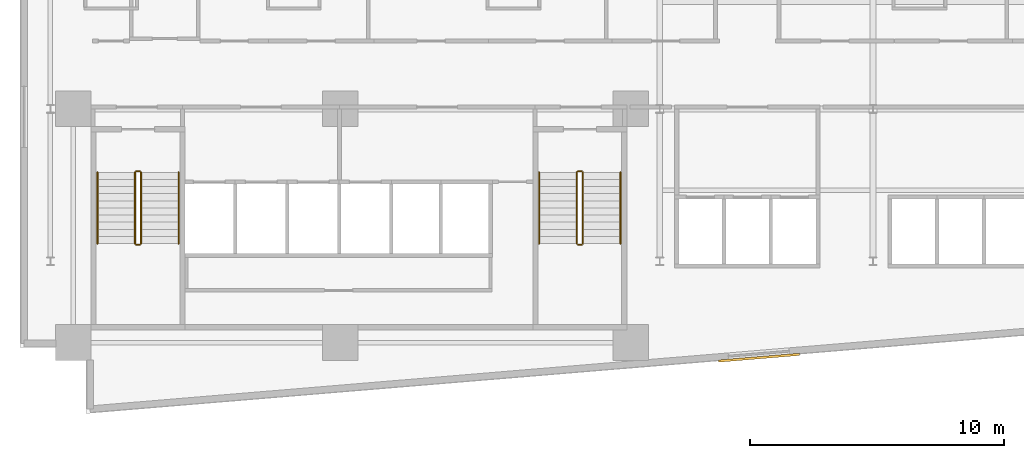
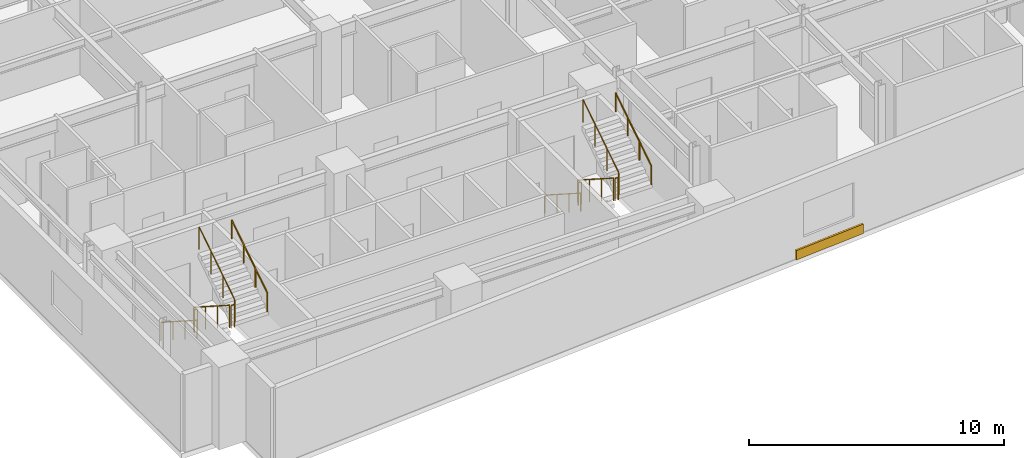
# One storey, part 15 of 19: 12 railings, 1 covering.
"""IFC4 building model written with IfcOpenShell, lengths in metres."""

from ifc_helpers import new_model, si_unit, direction, frame, origin, origin_2d, place, context, subcontext, project, spatial, rectangle, circle, extrude, material, layer, layer_set, type_object, element, save


model = new_model("IFC4")

# Units and contexts
model_context = context("Model", 3, precision=1e-05, world=origin(), true_north=direction((0.0, 1.0)))
body_context = subcontext(model_context, "Body", "Model", "MODEL_VIEW")
ifc_project = project(units=[si_unit("LENGTHUNIT", "METRE"), si_unit("AREAUNIT", "SQUARE_METRE"), si_unit("VOLUMEUNIT", "CUBIC_METRE"), si_unit("PLANEANGLEUNIT", "RADIAN"), si_unit("MASSUNIT", "GRAM", prefix="KILO")], contexts=[model_context])

# Site, building, storey
site_placement = place(None, origin())
site = spatial("IfcSite", under=ifc_project, at=site_placement, CompositionType="ELEMENT")
building_placement = place(site_placement, origin())
building = spatial("IfcBuilding", under=site, at=building_placement, Name="Varnakote Quay Hospital", CompositionType="ELEMENT")
storey_placement = place(building_placement, frame((0.0, 0.0, 89.64990234375)))
storey = spatial("IfcBuildingStorey", under=building, at=storey_placement, Name="L22", CompositionType="ELEMENT", Elevation=89.64990234375)

# Covering
ifc_material_1 = material(Name="Kiln-fired red brick architectural cladding", Category="masonry")
ifc_layer = layer(ifc_material_1, 0.090087890625)
ifc_layer_set = layer_set([ifc_layer], Name="Kiln-fired red brick architectural cladding")
covering_type = type_object("IfcCoveringType", Name="COV-BRICK-CLAD-90", PredefinedType="CLADDING", material=ifc_layer_set)
covering_placement = place(storey_placement, frame((29.11328125, 2.201171875, 0.0), z_axis=(0.0, 0.0, 1.0), x_axis=(0.996565502498, 0.082808207512, 0.0)))
element("IfcCovering", 1, at=covering_placement, inside=storey, type_object=covering_type, Name="L22 Kiln-Brick Precast Spandrel Cladding Band", PredefinedType="CLADDING", context=body_context, shape_type="SweptSolid", body=[
    extrude(rectangle(XDim=3.199951171875, YDim=0.090087890625, at=origin_2d()), origin(), (0.0, 0.0, 1.0), 0.449951171875),
])

# Railings
ifc_material_2 = material(Name="Brushed stainless steel balustrade", Category="steel")
railing_type_1 = type_object("IfcRailingType", Name="RLG-STAIR-GUARD-1150", PredefinedType="GUARDRAIL", material=ifc_material_2)
railing_1_placement = place(storey_placement, frame((4.530029296875, 9.5, 0.1796875)))
element("IfcRailing", 2, at=railing_1_placement, inside=storey, type_object=railing_type_1, Name="L22 ST-01 stair guard 1", PredefinedType="GUARDRAIL", context=body_context, shape_type="SweptSolid", body=[
    extrude(circle(Radius=0.02392578125, at=origin_2d()), frame((0.0, 0.0, 1.076171875), z_axis=(0.0, -0.841809871826, 0.539774156196), x_axis=(1.0, 0.0, 0.0)), (0.0, 0.0, 1.0), 3.326171875),
    extrude(circle(Radius=0.02099609375, at=origin_2d()), origin(), (0.0, 0.0, 1.0), 1.052001953125),
    extrude(circle(Radius=0.02099609375, at=origin_2d()), frame((0.0, -0.933349609375, 0.598388671875)), (0.0, 0.0, 1.0), 1.052001953125),
    extrude(circle(Radius=0.02099609375, at=origin_2d()), frame((0.0, -1.86669921875, 1.197021484375)), (0.0, 0.0, 1.0), 1.052001953125),
    extrude(circle(Radius=0.02099609375, at=origin_2d()), frame((0.0, -2.800048828125, 1.79541015625)), (0.0, 0.0, 1.0), 1.052001953125),
])
railing_2_placement = place(storey_placement, frame((4.580078125, 6.64990234375, 1.97509765625)))
element("IfcRailing", 3, at=railing_2_placement, inside=storey, type_object=railing_type_1, Name="L22 ST-01 stair guard 2", PredefinedType="GUARDRAIL", context=body_context, shape_type="SweptSolid", body=[
    extrude(circle(Radius=0.02392578125, at=origin_2d()), frame((0.0, 0.0, 1.076171875), z_axis=(1.0, 0.0, 0.0), x_axis=(0.0, 1.0, 0.0)), (0.0, 0.0, 1.0), 0.139892578125),
    extrude(circle(Radius=0.02099609375, at=origin_2d()), origin(), (0.0, 0.0, 1.0), 1.052001953125),
    extrude(circle(Radius=0.02099609375, at=origin_2d()), frame((0.139892578125, 0.0, 0.0)), (0.0, 0.0, 1.0), 1.052001953125),
])
railing_3_placement = place(storey_placement, frame((4.77001953125, 6.699951171875, 2.154541015625)))
element("IfcRailing", 4, at=railing_3_placement, inside=storey, type_object=railing_type_1, Name="L22 ST-01 stair guard 3", PredefinedType="GUARDRAIL", context=body_context, shape_type="SweptSolid", body=[
    extrude(circle(Radius=0.02392578125, at=origin_2d()), frame((0.0, 0.0, 1.076171875), z_axis=(0.0, 0.841776520102, 0.539826166654), x_axis=(-1.0, 0.0, 0.0)), (0.0, 0.0, 1.0), 3.326416015625),
    extrude(circle(Radius=0.02099609375, at=origin_2d()), origin(), (0.0, 0.0, 1.0), 1.052001953125),
    extrude(circle(Radius=0.02099609375, at=origin_2d()), frame((0.0, 0.933349609375, 0.5986328125)), (0.0, 0.0, 1.0), 1.052001953125),
    extrude(circle(Radius=0.02099609375, at=origin_2d()), frame((0.0, 1.86669921875, 1.197021484375)), (0.0, 0.0, 1.0), 1.052001953125),
    extrude(circle(Radius=0.02099609375, at=origin_2d()), frame((0.0, 2.800048828125, 1.795654296875)), (0.0, 0.0, 1.0), 1.052001953125),
])
railing_4_placement = place(storey_placement, frame((4.580078125, 9.550048828125, 0.0)))
element("IfcRailing", 5, at=railing_4_placement, inside=storey, type_object=railing_type_1, Name="L22 ST-01 stair guard 4", PredefinedType="GUARDRAIL", context=body_context, shape_type="SweptSolid", body=[
    extrude(circle(Radius=0.02392578125, at=origin_2d()), frame((0.0, 0.0, 1.076171875), z_axis=(1.0, 0.0, 0.0), x_axis=(0.0, 1.0, 0.0)), (0.0, 0.0, 1.0), 0.139892578125),
    extrude(circle(Radius=0.02099609375, at=origin_2d()), origin(), (0.0, 0.0, 1.0), 1.052001953125),
    extrude(circle(Radius=0.02099609375, at=origin_2d()), frame((0.139892578125, 0.0, 0.0)), (0.0, 0.0, 1.0), 1.052001953125),
])
railing_5_placement = place(storey_placement, frame((21.929931640625, 9.5, 0.1796875)))
element("IfcRailing", 6, at=railing_5_placement, inside=storey, type_object=railing_type_1, Name="L22 ST-02 stair guard 1", PredefinedType="GUARDRAIL", context=body_context, shape_type="SweptSolid", body=[
    extrude(circle(Radius=0.02392578125, at=origin_2d()), frame((0.0, 0.0, 1.076171875), z_axis=(0.0, -0.841809871826, 0.539774156196), x_axis=(1.0, 0.0, 0.0)), (0.0, 0.0, 1.0), 3.326171875),
    extrude(circle(Radius=0.02099609375, at=origin_2d()), origin(), (0.0, 0.0, 1.0), 1.052001953125),
    extrude(circle(Radius=0.02099609375, at=origin_2d()), frame((0.0, -0.933349609375, 0.598388671875)), (0.0, 0.0, 1.0), 1.052001953125),
    extrude(circle(Radius=0.02099609375, at=origin_2d()), frame((0.0, -1.86669921875, 1.197021484375)), (0.0, 0.0, 1.0), 1.052001953125),
    extrude(circle(Radius=0.02099609375, at=origin_2d()), frame((0.0, -2.800048828125, 1.79541015625)), (0.0, 0.0, 1.0), 1.052001953125),
])
railing_6_placement = place(storey_placement, frame((21.97998046875, 6.64990234375, 1.97509765625)))
element("IfcRailing", 7, at=railing_6_placement, inside=storey, type_object=railing_type_1, Name="L22 ST-02 stair guard 2", PredefinedType="GUARDRAIL", context=body_context, shape_type="SweptSolid", body=[
    extrude(circle(Radius=0.02392578125, at=origin_2d()), frame((0.0, 0.0, 1.076171875), z_axis=(1.0, 0.0, 0.0), x_axis=(0.0, 1.0, 0.0)), (0.0, 0.0, 1.0), 0.14013671875),
    extrude(circle(Radius=0.02099609375, at=origin_2d()), origin(), (0.0, 0.0, 1.0), 1.052001953125),
    extrude(circle(Radius=0.02099609375, at=origin_2d()), frame((0.14013671875, 0.0, 0.0)), (0.0, 0.0, 1.0), 1.052001953125),
])
railing_7_placement = place(storey_placement, frame((22.169921875, 6.699951171875, 2.154541015625)))
element("IfcRailing", 8, at=railing_7_placement, inside=storey, type_object=railing_type_1, Name="L22 ST-02 stair guard 3", PredefinedType="GUARDRAIL", context=body_context, shape_type="SweptSolid", body=[
    extrude(circle(Radius=0.02392578125, at=origin_2d()), frame((0.0, 0.0, 1.076171875), z_axis=(0.0, 0.841776520102, 0.539826166654), x_axis=(-1.0, 0.0, 0.0)), (0.0, 0.0, 1.0), 3.326416015625),
    extrude(circle(Radius=0.02099609375, at=origin_2d()), origin(), (0.0, 0.0, 1.0), 1.052001953125),
    extrude(circle(Radius=0.02099609375, at=origin_2d()), frame((0.0, 0.933349609375, 0.5986328125)), (0.0, 0.0, 1.0), 1.052001953125),
    extrude(circle(Radius=0.02099609375, at=origin_2d()), frame((0.0, 1.86669921875, 1.197021484375)), (0.0, 0.0, 1.0), 1.052001953125),
    extrude(circle(Radius=0.02099609375, at=origin_2d()), frame((0.0, 2.800048828125, 1.795654296875)), (0.0, 0.0, 1.0), 1.052001953125),
])
railing_8_placement = place(storey_placement, frame((21.97998046875, 9.550048828125, 0.0)))
element("IfcRailing", 9, at=railing_8_placement, inside=storey, type_object=railing_type_1, Name="L22 ST-02 stair guard 4", PredefinedType="GUARDRAIL", context=body_context, shape_type="SweptSolid", body=[
    extrude(circle(Radius=0.02392578125, at=origin_2d()), frame((0.0, 0.0, 1.076171875), z_axis=(1.0, 0.0, 0.0), x_axis=(0.0, 1.0, 0.0)), (0.0, 0.0, 1.0), 0.14013671875),
    extrude(circle(Radius=0.02099609375, at=origin_2d()), origin(), (0.0, 0.0, 1.0), 1.052001953125),
    extrude(circle(Radius=0.02099609375, at=origin_2d()), frame((0.14013671875, 0.0, 0.0)), (0.0, 0.0, 1.0), 1.052001953125),
])
ifc_material_3 = material(Name="Brushed stainless steel handrail", Category="steel")
railing_type_2 = type_object("IfcRailingType", Name="RLG-STAIR-HND-920", PredefinedType="HANDRAIL", material=ifc_material_3)
railing_9_placement = place(storey_placement, frame((3.050048828125, 9.5, 0.1796875)))
element("IfcRailing", 10, at=railing_9_placement, inside=storey, type_object=railing_type_2, Name="L22 ST-01 stair handrail 1", PredefinedType="HANDRAIL", context=body_context, shape_type="SweptSolid", body=[
    extrude(circle(Radius=0.02392578125, at=origin_2d()), frame((0.0, 0.0, 0.8759765625), z_axis=(0.0, -0.841809871826, 0.539774156196), x_axis=(1.0, 0.0, 0.0)), (0.0, 0.0, 1.0), 3.326171875),
    extrude(circle(Radius=0.02099609375, at=origin_2d()), origin(), (0.0, 0.0, 1.0), 0.851806640625),
    extrude(circle(Radius=0.02099609375, at=origin_2d()), frame((0.0, -0.933349609375, 0.598388671875)), (0.0, 0.0, 1.0), 0.851806640625),
    extrude(circle(Radius=0.02099609375, at=origin_2d()), frame((0.0, -1.86669921875, 1.197021484375)), (0.0, 0.0, 1.0), 0.851806640625),
    extrude(circle(Radius=0.02099609375, at=origin_2d()), frame((0.0, -2.800048828125, 1.79541015625)), (0.0, 0.0, 1.0), 0.851806640625),
])
railing_10_placement = place(storey_placement, frame((6.25, 6.699951171875, 2.154541015625)))
element("IfcRailing", 11, at=railing_10_placement, inside=storey, type_object=railing_type_2, Name="L22 ST-01 stair handrail 2", PredefinedType="HANDRAIL", context=body_context, shape_type="SweptSolid", body=[
    extrude(circle(Radius=0.02392578125, at=origin_2d()), frame((0.0, 0.0, 0.8759765625), z_axis=(0.0, 0.841776520102, 0.539826166654), x_axis=(-1.0, 0.0, 0.0)), (0.0, 0.0, 1.0), 3.326416015625),
    extrude(circle(Radius=0.02099609375, at=origin_2d()), origin(), (0.0, 0.0, 1.0), 0.851806640625),
    extrude(circle(Radius=0.02099609375, at=origin_2d()), frame((0.0, 0.933349609375, 0.5986328125)), (0.0, 0.0, 1.0), 0.851806640625),
    extrude(circle(Radius=0.02099609375, at=origin_2d()), frame((0.0, 1.86669921875, 1.197021484375)), (0.0, 0.0, 1.0), 0.851806640625),
    extrude(circle(Radius=0.02099609375, at=origin_2d()), frame((0.0, 2.800048828125, 1.795654296875)), (0.0, 0.0, 1.0), 0.851806640625),
])
railing_11_placement = place(storey_placement, frame((20.449951171875, 9.5, 0.1796875)))
element("IfcRailing", 12, at=railing_11_placement, inside=storey, type_object=railing_type_2, Name="L22 ST-02 stair handrail 1", PredefinedType="HANDRAIL", context=body_context, shape_type="SweptSolid", body=[
    extrude(circle(Radius=0.02392578125, at=origin_2d()), frame((0.0, 0.0, 0.8759765625), z_axis=(0.0, -0.841809871826, 0.539774156196), x_axis=(1.0, 0.0, 0.0)), (0.0, 0.0, 1.0), 3.326171875),
    extrude(circle(Radius=0.02099609375, at=origin_2d()), origin(), (0.0, 0.0, 1.0), 0.851806640625),
    extrude(circle(Radius=0.02099609375, at=origin_2d()), frame((0.0, -0.933349609375, 0.598388671875)), (0.0, 0.0, 1.0), 0.851806640625),
    extrude(circle(Radius=0.02099609375, at=origin_2d()), frame((0.0, -1.86669921875, 1.197021484375)), (0.0, 0.0, 1.0), 0.851806640625),
    extrude(circle(Radius=0.02099609375, at=origin_2d()), frame((0.0, -2.800048828125, 1.79541015625)), (0.0, 0.0, 1.0), 0.851806640625),
])
railing_12_placement = place(storey_placement, frame((23.64990234375, 6.699951171875, 2.154541015625)))
element("IfcRailing", 13, at=railing_12_placement, inside=storey, type_object=railing_type_2, Name="L22 ST-02 stair handrail 2", PredefinedType="HANDRAIL", context=body_context, shape_type="SweptSolid", body=[
    extrude(circle(Radius=0.02392578125, at=origin_2d()), frame((0.0, 0.0, 0.8759765625), z_axis=(0.0, 0.841776520102, 0.539826166654), x_axis=(-1.0, 0.0, 0.0)), (0.0, 0.0, 1.0), 3.326416015625),
    extrude(circle(Radius=0.02099609375, at=origin_2d()), origin(), (0.0, 0.0, 1.0), 0.851806640625),
    extrude(circle(Radius=0.02099609375, at=origin_2d()), frame((0.0, 0.933349609375, 0.5986328125)), (0.0, 0.0, 1.0), 0.851806640625),
    extrude(circle(Radius=0.02099609375, at=origin_2d()), frame((0.0, 1.86669921875, 1.197021484375)), (0.0, 0.0, 1.0), 0.851806640625),
    extrude(circle(Radius=0.02099609375, at=origin_2d()), frame((0.0, 2.800048828125, 1.795654296875)), (0.0, 0.0, 1.0), 0.851806640625),
])

save(model, "model.ifc")
